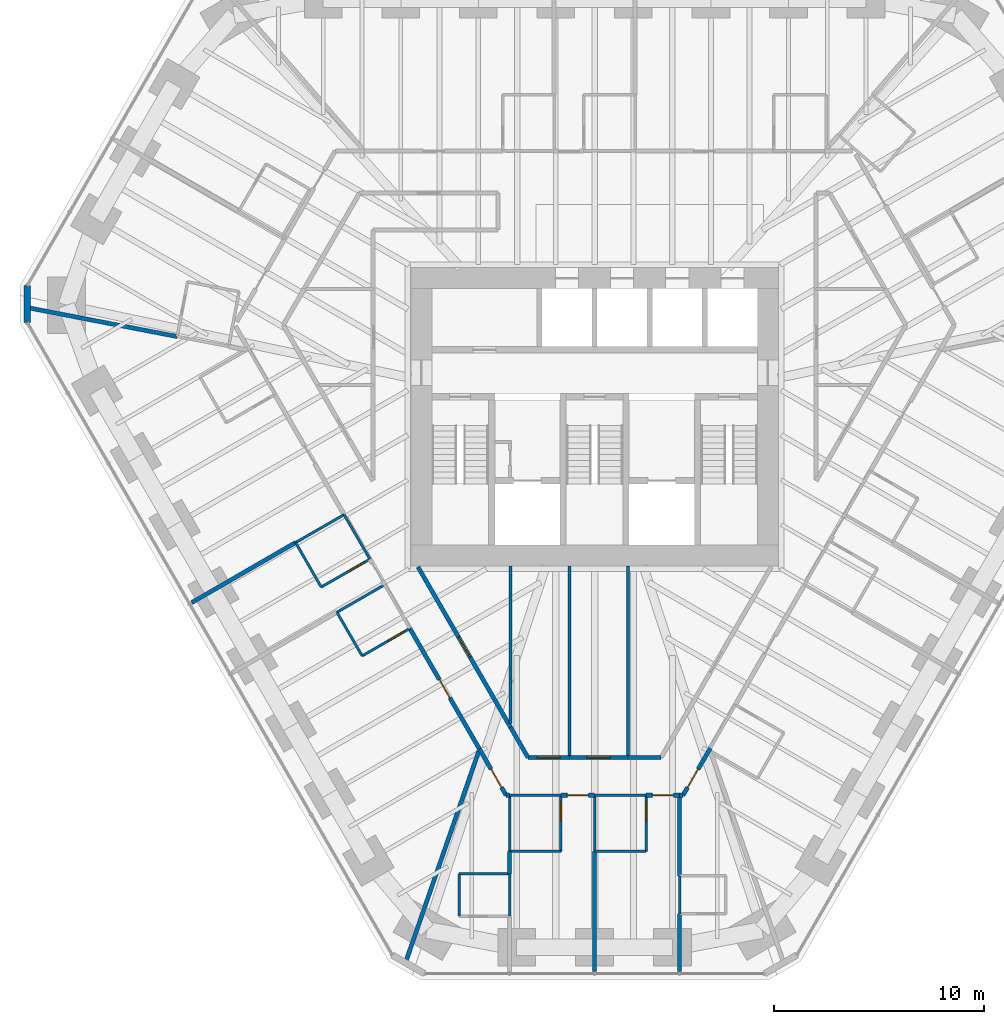
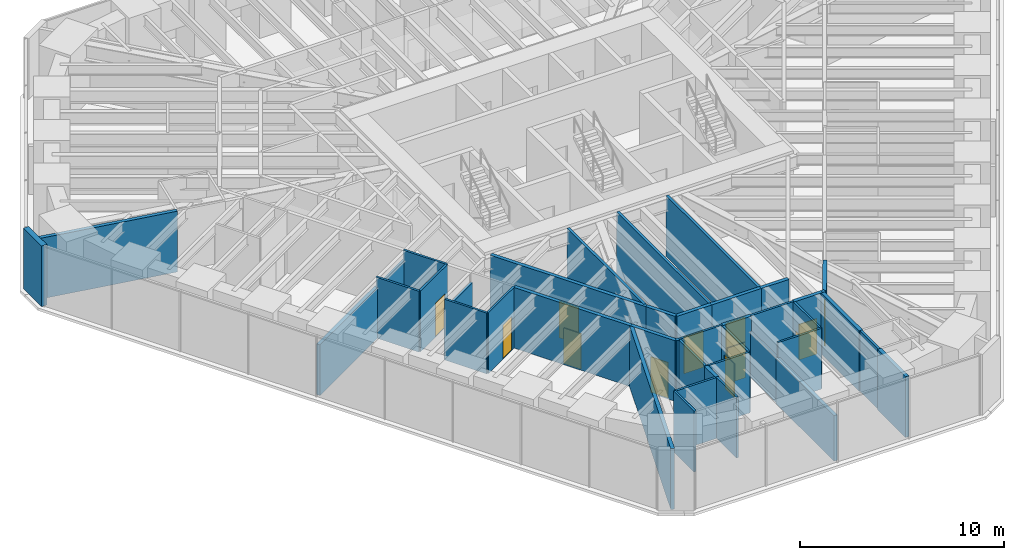
# One storey, part 11 of 16: 42 walls, 12 doors, 12 openings.
"""IFC4 building model written with IfcOpenShell, lengths in metres."""

from ifc_helpers import new_model, si_unit, direction, frame, frame_2d, origin, place, context, subcontext, project, spatial, rectangle, extrude, material, layer, layer_set, type_object, element, fill, save


model = new_model("IFC4")

# Units and contexts
model_context = context("Model", 3, precision=1e-05, world=origin(), true_north=direction((0.0, 1.0)))
body_context = subcontext(model_context, "Body", "Model", "MODEL_VIEW")
ifc_project = project(units=[si_unit("LENGTHUNIT", "METRE"), si_unit("AREAUNIT", "SQUARE_METRE"), si_unit("VOLUMEUNIT", "CUBIC_METRE"), si_unit("PLANEANGLEUNIT", "RADIAN"), si_unit("MASSUNIT", "GRAM", prefix="KILO")], contexts=[model_context])

# Site, building, storey
site_placement = place(None, origin())
site = spatial("IfcSite", under=ifc_project, at=site_placement, CompositionType="ELEMENT")
building_placement = place(site_placement, origin())
building = spatial("IfcBuilding", under=site, at=building_placement, Name="Sandreach Pilgrim Tower", CompositionType="ELEMENT")
storey_placement = place(building_placement, frame((0.0, 0.0, 183.199951171875)))
storey = spatial("IfcBuildingStorey", under=building, at=storey_placement, Name="L45", CompositionType="ELEMENT", Elevation=183.199951171875)

# Walls
ifc_material_1 = material(Name="Gypsum board on steel studs", Category="steel")
ifc_layer_1 = layer(ifc_material_1, 0.14990234375)
ifc_layer_set_1 = layer_set([ifc_layer_1], Name="Back of house wall 150")
wall_type_1 = type_object("IfcWallType", Name="Back of house wall 150", PredefinedType="PARTITIONING", material=ifc_layer_set_1)
wall_1_placement = place(storey_placement, frame((-4.0, -7.10009765625, 0.0), z_axis=(0.0, 0.0, 1.0), x_axis=(0.0, -1.0, 0.0)))
element("IfcWall", 1, at=wall_1_placement, inside=storey, type_object=wall_type_1, Name="Back of house wall L45-062", PredefinedType="PARTITIONING", context=body_context, shape_type="SweptSolid", body=[
    extrude(rectangle(XDim=7.514892578125, YDim=0.14990234375, at=frame_2d((3.75732421875, 0.0))), origin(), (0.0, 0.0, 1.0), 3.64013671875),
])
for number, where, z_axis, x_axis, name in (
    (2, (-1.199951171875, -7.10009765625, 0.0), (0.0, 0.0, 1.0), (0.0, -1.0, 0.0), "Back of house wall L45-071"),
    (3, (1.60009765625, -7.10009765625, 0.0), (0.0, 0.0, 1.0), (0.0, -1.0, 0.0), "Back of house wall L45-079"),
):
    element("IfcWall", number, at=place(storey_placement, frame(where, z_axis=z_axis, x_axis=x_axis)), inside=storey, type_object=wall_type_1, Name=name, PredefinedType="PARTITIONING", context=body_context, shape_type="SweptSolid", body=[
        extrude(rectangle(XDim=9.1298828125, YDim=0.14990234375, at=frame_2d((4.56494140625, 0.0))), origin(), (0.0, 0.0, 1.0), 3.64013671875),
    ])
ifc_material_2 = material(Name="Moisture-resistant gypsum board on steel studs", Category="steel")
ifc_layer_2 = layer(ifc_material_2, 0.1201171875)
ifc_layer_set_2 = layer_set([ifc_layer_2], Name="Bathroom partition 120")
wall_type_2 = type_object("IfcWallType", Name="Bathroom partition 120", PredefinedType="PARTITIONING", material=ifc_layer_set_2)
wall_2_placement = place(storey_placement, frame((-14.239990234375, -5.989990234375, 0.0), z_axis=(0.0, 0.0, 1.0), x_axis=(0.498748634132, -0.866746675766, 0.0)))
element("IfcWall", 4, at=wall_2_placement, inside=storey, type_object=wall_type_2, Name="Bathroom partition L45-023", PredefinedType="PARTITIONING", context=body_context, shape_type="SweptSolid", body=[
    extrude(rectangle(XDim=2.446044921875, YDim=0.1201171875, at=frame_2d((1.22314453125, 0.0))), origin(), (0.0, 0.0, 1.0), 3.64013671875),
])
wall_3_placement = place(storey_placement, frame((-14.239990234375, -5.989990234375, 0.0), z_axis=(0.0, 0.0, 1.0), x_axis=(0.866615255992, 0.498976951453, 0.0)))
element("IfcWall", 5, at=wall_3_placement, inside=storey, type_object=wall_type_2, Name="Bathroom partition L45-024", PredefinedType="PARTITIONING", context=body_context, shape_type="SweptSolid", body=[
    extrude(rectangle(XDim=2.66552734375, YDim=0.1201171875, at=frame_2d((1.332763671875, 0.0))), origin(), (0.0, 0.0, 1.0), 3.0380859375),
])

# Wall, opening, door
wall_4_placement = place(storey_placement, frame((-13.02001953125, -8.110107421875, 0.0), z_axis=(0.0, 0.0, 1.0), x_axis=(0.867545659855, 0.497357545501, 0.0)))
wall_4 = element("IfcWall", 6, at=wall_4_placement, inside=storey, type_object=wall_type_2, Name="Bathroom partition L45-029", PredefinedType="PARTITIONING", context=body_context, shape_type="SweptSolid", body=[
    extrude(rectangle(XDim=2.67431640625, YDim=0.1201171875, at=frame_2d((1.337158203125, 0.0))), origin(), (0.0, 0.0, 1.0), 3.64013671875),
])
opening_1_placement = place(wall_4_placement, frame((1.47412109375, 0.0, 0.0)))
opening_1 = element("IfcOpeningElement", 7, at=opening_1_placement, cuts=wall_4, Name="Opening D09-14B", PredefinedType="OPENING", context=body_context, shape_type="SweptSolid", body=[
    extrude(rectangle(XDim=0.89990234375, YDim=2.030029296875, at=frame_2d((0.449951171875, 1.01513671875))), frame((0.0, 0.06005859375, 0.0), z_axis=(0.0, -1.0, 0.0), x_axis=(1.0, 0.0, 0.0)), (0.0, 0.0, 1.0), 0.1201171875),
])
ifc_material_3 = material(Name="Timber door, steel frame", Category="steel")
door_type_1 = type_object("IfcDoorType", Name="Bathroom door", OperationType="SINGLE_SWING_LEFT", PredefinedType="DOOR", material=ifc_material_3)
door_1_placement = place(opening_1_placement, origin())
door_1 = element("IfcDoor", 8, at=door_1_placement, inside=storey, type_object=door_type_1, Name="Door 4514B", OperationType="SINGLE_SWING_RIGHT", OverallHeight=2.030029296875, OverallWidth=0.89990234375, PredefinedType="DOOR", context=body_context, shape_type="SweptSolid", body=[
    extrude(rectangle(XDim=0.89990234375, YDim=2.030029296875, at=frame_2d((0.449951171875, 1.01513671875))), frame((0.0, 0.02490234375, 0.0), z_axis=(0.0, -1.0, 0.0), x_axis=(1.0, 0.0, 0.0)), (0.0, 0.0, 1.0), 0.050048828125),
])
fill(opening_1, door_1)

# Walls
wall_5_placement = place(storey_placement, frame((-12.27001953125, -9.31005859375, 0.0), z_axis=(0.0, 0.0, 1.0), x_axis=(0.499737123639, -0.866177122335, 0.0)))
element("IfcWall", 9, at=wall_5_placement, inside=storey, type_object=wall_type_2, Name="Bathroom partition L45-030", PredefinedType="PARTITIONING", context=body_context, shape_type="SweptSolid", body=[
    extrude(rectangle(XDim=2.401123046875, YDim=0.1201171875, at=frame_2d((1.20068359375, 0.0))), origin(), (0.0, 0.0, 1.0), 3.64013671875),
])
wall_6_placement = place(storey_placement, frame((-12.27001953125, -9.31005859375, 0.0), z_axis=(0.0, 0.0, 1.0), x_axis=(0.866114241029, 0.499846097802, 0.0)))
element("IfcWall", 10, at=wall_6_placement, inside=storey, type_object=wall_type_2, Name="Bathroom partition L45-031", PredefinedType="PARTITIONING", context=body_context, shape_type="SweptSolid", body=[
    extrude(rectangle(XDim=2.620849609375, YDim=0.1201171875, at=frame_2d((1.310546875, 0.0))), origin(), (0.0, 0.0, 1.0), 3.0380859375),
])
wall_7_placement = place(storey_placement, frame((-11.929931640625, -4.659912109375, 0.0), z_axis=(0.0, 0.0, 1.0), x_axis=(0.501813488763, -0.864975850817, 0.0)))
element("IfcWall", 11, at=wall_7_placement, inside=storey, type_object=wall_type_2, Name="Bathroom partition L45-032", PredefinedType="PARTITIONING", context=body_context, shape_type="SweptSolid", body=[
    extrude(rectangle(XDim=2.451171875, YDim=0.1201171875, at=frame_2d((1.2255859375, 0.0))), origin(), (0.0, 0.0, 1.0), 3.64013671875),
])

# Wall, opening, door
wall_8_placement = place(storey_placement, frame((-11.070068359375, -11.389892578125, 0.0), z_axis=(0.0, 0.0, 1.0), x_axis=(0.866154567199, 0.49977621564, 0.0)))
wall_8 = element("IfcWall", 12, at=wall_8_placement, inside=storey, type_object=wall_type_2, Name="Bathroom partition L45-034", PredefinedType="PARTITIONING", context=body_context, shape_type="SweptSolid", body=[
    extrude(rectangle(XDim=2.620849609375, YDim=0.1201171875, at=frame_2d((1.310546875, 0.0))), origin(), (0.0, 0.0, 1.0), 3.64013671875),
])
opening_2_placement = place(wall_8_placement, frame((1.4208984375, 0.0, 0.0)))
opening_2 = element("IfcOpeningElement", 13, at=opening_2_placement, cuts=wall_8, Name="Opening D09-13B", PredefinedType="OPENING", context=body_context, shape_type="SweptSolid", body=[
    extrude(rectangle(XDim=0.89990234375, YDim=2.030029296875, at=frame_2d((0.449951171875, 1.01513671875))), frame((0.0, 0.06005859375, 0.0), z_axis=(0.0, -1.0, 0.0), x_axis=(1.0, 0.0, 0.0)), (0.0, 0.0, 1.0), 0.1201171875),
])
door_2_placement = place(opening_2_placement, origin())
door_2 = element("IfcDoor", 14, at=door_2_placement, inside=storey, type_object=door_type_1, Name="Door 4513B", OperationType="SINGLE_SWING_RIGHT", OverallHeight=2.030029296875, OverallWidth=0.89990234375, PredefinedType="DOOR", context=body_context, shape_type="SweptSolid", body=[
    extrude(rectangle(XDim=0.89990234375, YDim=2.030029296875, at=frame_2d((0.449951171875, 1.01513671875))), frame((0.0, 0.02490234375, 0.0), z_axis=(0.0, -1.0, 0.0), x_axis=(1.0, 0.0, 0.0)), (0.0, 0.0, 1.0), 0.050048828125),
])
fill(opening_2, door_2)

# Walls
for number, where, z_axis, x_axis, name in (
    (15, (-6.449951171875, -21.77001953125, 0.0), (0.0, 0.0, 1.0), (0.0, -1.0, 0.0), "Bathroom partition L45-047"),
    (16, (-4.050048828125, -23.780029296875, 0.0), (0.0, 0.0, 1.0), (0.0, 1.0, 0.0), "Bathroom partition L45-055"),
):
    element("IfcWall", number, at=place(storey_placement, frame(where, z_axis=z_axis, x_axis=x_axis)), inside=storey, type_object=wall_type_2, Name=name, PredefinedType="PARTITIONING", context=body_context, shape_type="SweptSolid", body=[
        extrude(rectangle(XDim=2.010009765625, YDim=0.1201171875, at=frame_2d((1.0048828125, 0.0))), origin(), (0.0, 0.0, 1.0), 3.64013671875),
    ])
wall_9_placement = place(storey_placement, frame((-4.050048828125, -21.77001953125, 0.0), z_axis=(0.0, 0.0, 1.0), x_axis=(-1.0, 0.0, 0.0)))
element("IfcWall", 17, at=wall_9_placement, inside=storey, type_object=wall_type_2, Name="Bathroom partition L45-056", PredefinedType="PARTITIONING", context=body_context, shape_type="SweptSolid", body=[
    extrude(rectangle(XDim=2.39990234375, YDim=0.1201171875, at=frame_2d((1.199951171875, 0.0))), origin(), (0.0, 0.0, 1.0), 3.64013671875),
])
wall_10_placement = place(storey_placement, frame((-4.050048828125, -20.699951171875, 0.0), z_axis=(0.0, 0.0, 1.0), x_axis=(0.0, 1.0, 0.0)))
element("IfcWall", 18, at=wall_10_placement, inside=storey, type_object=wall_type_2, Name="Bathroom partition L45-058", PredefinedType="PARTITIONING", context=body_context, shape_type="SweptSolid", body=[
    extrude(rectangle(XDim=2.669921875, YDim=0.1201171875, at=frame_2d((1.3349609375, 0.0))), origin(), (0.0, 0.0, 1.0), 3.64013671875),
])
for number, where, z_axis, x_axis, name in (
    (19, (-4.050048828125, -20.699951171875, 0.0), (0.0, 0.0, 1.0), (1.0, 0.0, 0.0), "Bathroom partition L45-059"),
    (20, (-4.050048828125, -18.030029296875, 0.0), (0.0, 0.0, 1.0), (1.0, 0.0, 0.0), "Bathroom partition L45-060"),
):
    element("IfcWall", number, at=place(storey_placement, frame(where, z_axis=z_axis, x_axis=x_axis)), inside=storey, type_object=wall_type_2, Name=name, PredefinedType="PARTITIONING", context=body_context, shape_type="SweptSolid", body=[
        extrude(rectangle(XDim=2.449951171875, YDim=0.1201171875, at=frame_2d((1.22509765625, 0.0))), origin(), (0.0, 0.0, 1.0), 3.64013671875),
    ])

# Wall, opening, door
wall_11_placement = place(storey_placement, frame((-1.60009765625, -20.699951171875, 0.0), z_axis=(0.0, 0.0, 1.0), x_axis=(0.0, 1.0, 0.0)))
wall_11 = element("IfcWall", 21, at=wall_11_placement, inside=storey, type_object=wall_type_2, Name="Bathroom partition L45-068", PredefinedType="PARTITIONING", context=body_context, shape_type="SweptSolid", body=[
    extrude(rectangle(XDim=2.669921875, YDim=0.1201171875, at=frame_2d((1.3349609375, 0.0))), origin(), (0.0, 0.0, 1.0), 3.64013671875),
])
opening_3_placement = place(wall_11_placement, frame((1.469970703125, 0.0, 0.0)))
opening_3 = element("IfcOpeningElement", 22, at=opening_3_placement, cuts=wall_11, Name="Opening D09-11B", PredefinedType="OPENING", context=body_context, shape_type="SweptSolid", body=[
    extrude(rectangle(XDim=0.89990234375, YDim=2.030029296875, at=frame_2d((0.449951171875, 1.01513671875))), frame((0.0, 0.06005859375, 0.0), z_axis=(0.0, -1.0, 0.0), x_axis=(1.0, 0.0, 0.0)), (0.0, 0.0, 1.0), 0.1201171875),
])
door_3_placement = place(opening_3_placement, origin())
door_3 = element("IfcDoor", 23, at=door_3_placement, inside=storey, type_object=door_type_1, Name="Door 4511B", OperationType="SINGLE_SWING_RIGHT", OverallHeight=2.030029296875, OverallWidth=0.89990234375, PredefinedType="DOOR", context=body_context, shape_type="SweptSolid", body=[
    extrude(rectangle(XDim=0.89990234375, YDim=2.030029296875, at=frame_2d((0.449951171875, 1.01513671875))), frame((0.0, 0.02490234375, 0.0), z_axis=(0.0, -1.0, 0.0), x_axis=(1.0, 0.0, 0.0)), (0.0, 0.0, 1.0), 0.050048828125),
])
fill(opening_3, door_3)

# Walls
wall_12_placement = place(storey_placement, frame((0.0, -20.699951171875, 0.0), z_axis=(0.0, 0.0, 1.0), x_axis=(0.0, 1.0, 0.0)))
element("IfcWall", 24, at=wall_12_placement, inside=storey, type_object=wall_type_2, Name="Bathroom partition L45-075", PredefinedType="PARTITIONING", context=body_context, shape_type="SweptSolid", body=[
    extrude(rectangle(XDim=2.669921875, YDim=0.1201171875, at=frame_2d((1.3349609375, 0.0))), origin(), (0.0, 0.0, 1.0), 2.7255859375),
])
for number, where, z_axis, x_axis, name in (
    (25, (0.0, -20.699951171875, 0.0), (0.0, 0.0, 1.0), (1.0, 0.0, 0.0), "Bathroom partition L45-076"),
    (26, (0.0, -18.030029296875, 0.0), (0.0, 0.0, 1.0), (1.0, 0.0, 0.0), "Bathroom partition L45-077"),
):
    element("IfcWall", number, at=place(storey_placement, frame(where, z_axis=z_axis, x_axis=x_axis)), inside=storey, type_object=wall_type_2, Name=name, PredefinedType="PARTITIONING", context=body_context, shape_type="SweptSolid", body=[
        extrude(rectangle(XDim=2.449951171875, YDim=0.1201171875, at=frame_2d((1.22509765625, 0.0))), origin(), (0.0, 0.0, 1.0), 3.64013671875),
    ])

# Wall, opening, door
wall_13_placement = place(storey_placement, frame((2.449951171875, -20.699951171875, 0.0), z_axis=(0.0, 0.0, 1.0), x_axis=(0.0, 1.0, 0.0)))
wall_13 = element("IfcWall", 27, at=wall_13_placement, inside=storey, type_object=wall_type_2, Name="Bathroom partition L45-084", PredefinedType="PARTITIONING", context=body_context, shape_type="SweptSolid", body=[
    extrude(rectangle(XDim=2.669921875, YDim=0.1201171875, at=frame_2d((1.3349609375, 0.0))), origin(), (0.0, 0.0, 1.0), 3.64013671875),
])
opening_4_placement = place(wall_13_placement, frame((1.469970703125, 0.0, 0.0)))
opening_4 = element("IfcOpeningElement", 28, at=opening_4_placement, cuts=wall_13, Name="Opening D09-10B", PredefinedType="OPENING", context=body_context, shape_type="SweptSolid", body=[
    extrude(rectangle(XDim=0.89990234375, YDim=2.030029296875, at=frame_2d((0.449951171875, 1.01513671875))), frame((0.0, 0.06005859375, 0.0), z_axis=(0.0, -1.0, 0.0), x_axis=(1.0, 0.0, 0.0)), (0.0, 0.0, 1.0), 0.1201171875),
])
door_4_placement = place(opening_4_placement, origin())
door_4 = element("IfcDoor", 29, at=door_4_placement, inside=storey, type_object=door_type_1, Name="Door 4510B", OperationType="SINGLE_SWING_RIGHT", OverallHeight=2.030029296875, OverallWidth=0.89990234375, PredefinedType="DOOR", context=body_context, shape_type="SweptSolid", body=[
    extrude(rectangle(XDim=0.89990234375, YDim=2.030029296875, at=frame_2d((0.449951171875, 1.01513671875))), frame((0.0, 0.02490234375, 0.0), z_axis=(0.0, -1.0, 0.0), x_axis=(1.0, 0.0, 0.0)), (0.0, 0.0, 1.0), 0.050048828125),
])
fill(opening_4, door_4)

# Wall
wall_14_placement = place(storey_placement, frame((4.050048828125, -23.679931640625, 0.0), z_axis=(0.0, 0.0, 1.0), x_axis=(0.0, 1.0, 0.0)))
element("IfcWall", 30, at=wall_14_placement, inside=storey, type_object=wall_type_2, Name="Bathroom partition L45-088", PredefinedType="PARTITIONING", context=body_context, shape_type="SweptSolid", body=[
    extrude(rectangle(XDim=1.809814453125, YDim=0.1201171875, at=frame_2d((0.90478515625, 0.0))), origin(), (0.0, 0.0, 1.0), 3.64013671875),
])

# Wall, opening, door
ifc_material_4 = material(Name="Gypsum board on steel studs, two layers each side", Category="steel")
ifc_layer_3 = layer(ifc_material_4, 0.199951171875)
ifc_layer_set_3 = layer_set([ifc_layer_3], Name="Corridor wall 200")
wall_type_3 = type_object("IfcWallType", Name="Corridor wall 200", PredefinedType="PARTITIONING", material=ifc_layer_set_3)
wall_15_placement = place(storey_placement, frame((-8.800048828125, -10.080078125, 0.0), z_axis=(0.0, 0.0, 1.0), x_axis=(0.500034373799, -0.866005557153, 0.0)))
wall_15 = element("IfcWall", 31, at=wall_15_placement, inside=storey, type_object=wall_type_3, Name="Corridor wall L45-045", PredefinedType="PARTITIONING", context=body_context, shape_type="SweptSolid", body=[
    extrude(rectangle(XDim=6.6396484375, YDim=0.199951171875, at=frame_2d((3.31982421875, 0.0))), origin(), (0.0, 0.0, 1.0), 3.64013671875),
])
opening_5_placement = place(wall_15_placement, frame((2.81982421875, 0.0, 0.0)))
opening_5 = element("IfcOpeningElement", 32, at=opening_5_placement, cuts=wall_15, Name="Opening D10-13", PredefinedType="OPENING", context=body_context, shape_type="SweptSolid", body=[
    extrude(rectangle(XDim=1.0, YDim=2.1298828125, at=frame_2d((0.5, 1.06494140625))), frame((0.0, 0.10009765625, 0.0), z_axis=(0.0, -1.0, 0.0), x_axis=(1.0, 0.0, 0.0)), (0.0, 0.0, 1.0), 0.199951171875),
])
ifc_material_5 = material(Name="Steel door and frame", Category="steel")
door_type_2 = type_object("IfcDoorType", Name="Guest room entry door", OperationType="SINGLE_SWING_LEFT", PredefinedType="DOOR", material=ifc_material_5)
door_5_placement = place(opening_5_placement, origin())
door_5 = element("IfcDoor", 33, at=door_5_placement, inside=storey, type_object=door_type_2, Name="Door 4513", OperationType="SINGLE_SWING_LEFT", OverallHeight=2.1298828125, OverallWidth=1.0, PredefinedType="DOOR", context=body_context, shape_type="SweptSolid", body=[
    extrude(rectangle(XDim=1.0, YDim=2.1298828125, at=frame_2d((0.5, 1.06494140625))), frame((0.0, 0.02490234375, 0.0), z_axis=(0.0, -1.0, 0.0), x_axis=(1.0, 0.0, 0.0)), (0.0, 0.0, 1.0), 0.050048828125),
])
fill(opening_5, door_5)

wall_16_placement = place(storey_placement, frame((-5.47998046875, -15.830078125, 0.0), z_axis=(0.0, 0.0, 1.0), x_axis=(0.499963722229, -0.866046347752, 0.0)))
wall_16 = element("IfcWall", 34, at=wall_16_placement, inside=storey, type_object=wall_type_3, Name="Corridor wall L45-048", PredefinedType="PARTITIONING", context=body_context, shape_type="SweptSolid", body=[
    extrude(rectangle(XDim=2.540283203125, YDim=0.199951171875, at=frame_2d((1.27001953125, 0.0))), origin(), (0.0, 0.0, 1.0), 3.64013671875),
])
opening_6_placement = place(wall_16_placement, frame((1.10009765625, 0.0, 0.0)))
opening_6 = element("IfcOpeningElement", 35, at=opening_6_placement, cuts=wall_16, Name="Opening D10-12", PredefinedType="OPENING", context=body_context, shape_type="SweptSolid", body=[
    extrude(rectangle(XDim=1.0, YDim=2.1298828125, at=frame_2d((0.5, 1.06494140625))), frame((0.0, 0.10009765625, 0.0), z_axis=(0.0, -1.0, 0.0), x_axis=(1.0, 0.0, 0.0)), (0.0, 0.0, 1.0), 0.199951171875),
])
door_6_placement = place(opening_6_placement, origin())
door_6 = element("IfcDoor", 36, at=door_6_placement, inside=storey, type_object=door_type_2, Name="Door 4512", OperationType="SINGLE_SWING_RIGHT", OverallHeight=2.1298828125, OverallWidth=1.0, PredefinedType="DOOR", context=body_context, shape_type="SweptSolid", body=[
    extrude(rectangle(XDim=1.0, YDim=2.1298828125, at=frame_2d((0.5, 1.06494140625))), frame((0.0, 0.02490234375, 0.0), z_axis=(0.0, -1.0, 0.0), x_axis=(1.0, 0.0, 0.0)), (0.0, 0.0, 1.0), 0.050048828125),
])
fill(opening_6, door_6)

# Wall
wall_17_placement = place(storey_placement, frame((-4.2099609375, -18.030029296875, 0.0), z_axis=(0.0, 0.0, 1.0), x_axis=(1.0, 0.0, 0.0)))
element("IfcWall", 37, at=wall_17_placement, inside=storey, type_object=wall_type_3, Name="Corridor wall L45-053", PredefinedType="PARTITIONING", context=body_context, shape_type="SweptSolid", body=[
    extrude(rectangle(XDim=0.159912109375, YDim=0.199951171875, at=frame_2d((0.080078125, 0.0))), origin(), (0.0, 0.0, 1.0), 3.64013671875),
])

# Wall, opening, door
wall_18_placement = place(storey_placement, frame((-4.0, -14.7900390625, 0.0), z_axis=(0.0, 0.0, 1.0), x_axis=(-0.499916512745, 0.866073599808, 0.0)))
wall_18 = element("IfcWall", 38, at=wall_18_placement, inside=storey, type_object=wall_type_3, Name="Corridor wall L45-061", PredefinedType="PARTITIONING", context=body_context, shape_type="SweptSolid", body=[
    extrude(rectangle(XDim=8.8212890625, YDim=0.199951171875, at=frame_2d((4.41064453125, 0.0))), origin(), (0.0, 0.0, 1.0), 3.64013671875),
])
opening_7_placement = place(wall_18_placement, frame((3.860595703125, 0.0, 0.0)))
opening_7 = element("IfcOpeningElement", 39, at=opening_7_placement, cuts=wall_18, Name="Opening D11H-S1", PredefinedType="OPENING", context=body_context, shape_type="SweptSolid", body=[
    extrude(rectangle(XDim=1.10009765625, YDim=2.199951171875, at=frame_2d((0.550048828125, 1.10009765625))), frame((0.0, 0.10009765625, 0.0), z_axis=(0.0, -1.0, 0.0), x_axis=(1.0, 0.0, 0.0)), (0.0, 0.0, 1.0), 0.199951171875),
])
ifc_material_6 = material(Name="Steel door and frame", Category="steel")
door_type_3 = type_object("IfcDoorType", Name="Back of house door", OperationType="SINGLE_SWING_LEFT", PredefinedType="DOOR", material=ifc_material_6)
door_7_placement = place(opening_7_placement, origin())
door_7 = element("IfcDoor", 40, at=door_7_placement, inside=storey, type_object=door_type_3, Name="Door 45S1", OperationType="SINGLE_SWING_LEFT", OverallHeight=2.199951171875, OverallWidth=1.10009765625, PredefinedType="DOOR", context=body_context, shape_type="SweptSolid", body=[
    extrude(rectangle(XDim=1.10009765625, YDim=2.199951171875, at=frame_2d((0.550048828125, 1.10009765625))), frame((0.0, 0.02490234375, 0.0), z_axis=(0.0, -1.0, 0.0), x_axis=(1.0, 0.0, 0.0)), (0.0, 0.0, 1.0), 0.050048828125),
])
fill(opening_7, door_7)

# Wall
wall_19_placement = place(storey_placement, frame((-3.169921875, -16.22998046875, 0.0), z_axis=(0.0, 0.0, 1.0), x_axis=(-0.499425709803, 0.866356716594, 0.0)))
element("IfcWall", 41, at=wall_19_placement, inside=storey, type_object=wall_type_3, Name="Corridor wall L45-063", PredefinedType="PARTITIONING", context=body_context, shape_type="SweptSolid", body=[
    extrude(rectangle(XDim=1.662109375, YDim=0.199951171875, at=frame_2d((0.8310546875, 0.0))), origin(), (0.0, 0.0, 1.0), 3.64013671875),
])

# Wall, opening, door
wall_20_placement = place(storey_placement, frame((-1.60009765625, -18.030029296875, 0.0), z_axis=(0.0, 0.0, 1.0), x_axis=(1.0, 0.0, 0.0)))
wall_20 = element("IfcWall", 42, at=wall_20_placement, inside=storey, type_object=wall_type_3, Name="Corridor wall L45-069", PredefinedType="PARTITIONING", context=body_context, shape_type="SweptSolid", body=[
    extrude(rectangle(XDim=1.60009765625, YDim=0.199951171875, at=frame_2d((0.800048828125, 0.0))), origin(), (0.0, 0.0, 1.0), 3.64013671875),
])
opening_8_placement = place(wall_20_placement, frame((0.300048828125, 0.0, 0.0)))
opening_8 = element("IfcOpeningElement", 43, at=opening_8_placement, cuts=wall_20, Name="Opening D10-11", PredefinedType="OPENING", context=body_context, shape_type="SweptSolid", body=[
    extrude(rectangle(XDim=1.0, YDim=2.1298828125, at=frame_2d((0.5, 1.06494140625))), frame((0.0, 0.10009765625, 0.0), z_axis=(0.0, -1.0, 0.0), x_axis=(1.0, 0.0, 0.0)), (0.0, 0.0, 1.0), 0.199951171875),
])
door_8_placement = place(opening_8_placement, origin())
door_8 = element("IfcDoor", 44, at=door_8_placement, inside=storey, type_object=door_type_2, Name="Door 4511", OperationType="SINGLE_SWING_LEFT", OverallHeight=2.1298828125, OverallWidth=1.0, PredefinedType="DOOR", context=body_context, shape_type="SweptSolid", body=[
    extrude(rectangle(XDim=1.0, YDim=2.1298828125, at=frame_2d((0.5, 1.06494140625))), frame((0.0, 0.02490234375, 0.0), z_axis=(0.0, -1.0, 0.0), x_axis=(1.0, 0.0, 0.0)), (0.0, 0.0, 1.0), 0.050048828125),
])
fill(opening_8, door_8)

wall_21_placement = place(storey_placement, frame((-1.199951171875, -16.22998046875, 0.0), z_axis=(0.0, 0.0, 1.0), x_axis=(-1.0, 0.0, 0.0)))
wall_21 = element("IfcWall", 45, at=wall_21_placement, inside=storey, type_object=wall_type_3, Name="Corridor wall L45-070", PredefinedType="PARTITIONING", context=body_context, shape_type="SweptSolid", body=[
    extrude(rectangle(XDim=1.969970703125, YDim=0.199951171875, at=frame_2d((0.98486328125, 0.0))), origin(), (0.0, 0.0, 1.0), 3.64013671875),
])
opening_9_placement = place(wall_21_placement, frame((0.43505859375, 0.0, 0.0)))
opening_9 = element("IfcOpeningElement", 46, at=opening_9_placement, cuts=wall_21, Name="Opening D11H-S2", PredefinedType="OPENING", context=body_context, shape_type="SweptSolid", body=[
    extrude(rectangle(XDim=1.10009765625, YDim=2.199951171875, at=frame_2d((0.550048828125, 1.10009765625))), frame((0.0, 0.10009765625, 0.0), z_axis=(0.0, -1.0, 0.0), x_axis=(1.0, 0.0, 0.0)), (0.0, 0.0, 1.0), 0.199951171875),
])
door_9_placement = place(opening_9_placement, origin())
door_9 = element("IfcDoor", 47, at=door_9_placement, inside=storey, type_object=door_type_3, Name="Door 45S2", OperationType="SINGLE_SWING_LEFT", OverallHeight=2.199951171875, OverallWidth=1.10009765625, PredefinedType="DOOR", context=body_context, shape_type="SweptSolid", body=[
    extrude(rectangle(XDim=1.10009765625, YDim=2.199951171875, at=frame_2d((0.550048828125, 1.10009765625))), frame((0.0, 0.02490234375, 0.0), z_axis=(0.0, -1.0, 0.0), x_axis=(1.0, 0.0, 0.0)), (0.0, 0.0, 1.0), 0.050048828125),
])
fill(opening_9, door_9)

wall_22_placement = place(storey_placement, frame((1.60009765625, -16.22998046875, 0.0), z_axis=(0.0, 0.0, 1.0), x_axis=(-1.0, 0.0, 0.0)))
wall_22 = element("IfcWall", 48, at=wall_22_placement, inside=storey, type_object=wall_type_3, Name="Corridor wall L45-078", PredefinedType="PARTITIONING", context=body_context, shape_type="SweptSolid", body=[
    extrude(rectangle(XDim=2.800048828125, YDim=0.199951171875, at=frame_2d((1.39990234375, 0.0))), origin(), (0.0, 0.0, 1.0), 3.64013671875),
])
opening_10_placement = place(wall_22_placement, frame((0.85009765625, 0.0, 0.0)))
opening_10 = element("IfcOpeningElement", 49, at=opening_10_placement, cuts=wall_22, Name="Opening D11H-S3", PredefinedType="OPENING", context=body_context, shape_type="SweptSolid", body=[
    extrude(rectangle(XDim=1.10009765625, YDim=2.199951171875, at=frame_2d((0.550048828125, 1.10009765625))), frame((0.0, 0.10009765625, 0.0), z_axis=(0.0, -1.0, 0.0), x_axis=(1.0, 0.0, 0.0)), (0.0, 0.0, 1.0), 0.199951171875),
])
door_10_placement = place(opening_10_placement, origin())
door_10 = element("IfcDoor", 50, at=door_10_placement, inside=storey, type_object=door_type_3, Name="Door 45S3", OperationType="SINGLE_SWING_LEFT", OverallHeight=2.199951171875, OverallWidth=1.10009765625, PredefinedType="DOOR", context=body_context, shape_type="SweptSolid", body=[
    extrude(rectangle(XDim=1.10009765625, YDim=2.199951171875, at=frame_2d((0.550048828125, 1.10009765625))), frame((0.0, 0.02490234375, 0.0), z_axis=(0.0, -1.0, 0.0), x_axis=(1.0, 0.0, 0.0)), (0.0, 0.0, 1.0), 0.050048828125),
])
fill(opening_10, door_10)

wall_23_placement = place(storey_placement, frame((2.449951171875, -18.030029296875, 0.0), z_axis=(0.0, 0.0, 1.0), x_axis=(1.0, 0.0, 0.0)))
wall_23 = element("IfcWall", 51, at=wall_23_placement, inside=storey, type_object=wall_type_3, Name="Corridor wall L45-085", PredefinedType="PARTITIONING", context=body_context, shape_type="SweptSolid", body=[
    extrude(rectangle(XDim=1.60009765625, YDim=0.199951171875, at=frame_2d((0.800048828125, 0.0))), origin(), (0.0, 0.0, 1.0), 3.64013671875),
])
opening_11_placement = place(wall_23_placement, frame((0.300048828125, 0.0, 0.0)))
opening_11 = element("IfcOpeningElement", 52, at=opening_11_placement, cuts=wall_23, Name="Opening D10-10", PredefinedType="OPENING", context=body_context, shape_type="SweptSolid", body=[
    extrude(rectangle(XDim=1.0, YDim=2.1298828125, at=frame_2d((0.5, 1.06494140625))), frame((0.0, 0.10009765625, 0.0), z_axis=(0.0, -1.0, 0.0), x_axis=(1.0, 0.0, 0.0)), (0.0, 0.0, 1.0), 0.199951171875),
])
door_11_placement = place(opening_11_placement, origin())
door_11 = element("IfcDoor", 53, at=door_11_placement, inside=storey, type_object=door_type_2, Name="Door 4510", OperationType="SINGLE_SWING_LEFT", OverallHeight=2.1298828125, OverallWidth=1.0, PredefinedType="DOOR", context=body_context, shape_type="SweptSolid", body=[
    extrude(rectangle(XDim=1.0, YDim=2.1298828125, at=frame_2d((0.5, 1.06494140625))), frame((0.0, 0.02490234375, 0.0), z_axis=(0.0, -1.0, 0.0), x_axis=(1.0, 0.0, 0.0)), (0.0, 0.0, 1.0), 0.050048828125),
])
fill(opening_11, door_11)

# Walls
wall_24_placement = place(storey_placement, frame((3.169921875, -16.22998046875, 0.0), z_axis=(0.0, 0.0, 1.0), x_axis=(-1.0, 0.0, 0.0)))
element("IfcWall", 54, at=wall_24_placement, inside=storey, type_object=wall_type_3, Name="Corridor wall L45-086", PredefinedType="PARTITIONING", context=body_context, shape_type="SweptSolid", body=[
    extrude(rectangle(XDim=1.56982421875, YDim=0.199951171875, at=frame_2d((0.784912109375, 0.0))), origin(), (0.0, 0.0, 1.0), 3.64013671875),
])
wall_25_placement = place(storey_placement, frame((4.050048828125, -18.030029296875, 0.0), z_axis=(0.0, 0.0, 1.0), x_axis=(1.0, 0.0, 0.0)))
element("IfcWall", 55, at=wall_25_placement, inside=storey, type_object=wall_type_3, Name="Corridor wall L45-091", PredefinedType="PARTITIONING", context=body_context, shape_type="SweptSolid", body=[
    extrude(rectangle(XDim=0.159912109375, YDim=0.199951171875, at=frame_2d((0.080078125, 0.0))), origin(), (0.0, 0.0, 1.0), 3.64013671875),
])

# Wall, opening, door
wall_26_placement = place(storey_placement, frame((5.510009765625, -15.7900390625, 0.0), z_axis=(0.0, 0.0, 1.0), x_axis=(-0.501964949025, -0.864887963814, 0.0)))
wall_26 = element("IfcWall", 56, at=wall_26_placement, inside=storey, type_object=wall_type_3, Name="Corridor wall L45-092", PredefinedType="PARTITIONING", context=body_context, shape_type="SweptSolid", body=[
    extrude(rectangle(XDim=2.58984375, YDim=0.199951171875, at=frame_2d((1.294921875, 0.0))), origin(), (0.0, 0.0, 1.0), 3.64013671875),
])
opening_12_placement = place(wall_26_placement, frame((1.14990234375, 0.0, 0.0)))
opening_12 = element("IfcOpeningElement", 57, at=opening_12_placement, cuts=wall_26, Name="Opening D10-09", PredefinedType="OPENING", context=body_context, shape_type="SweptSolid", body=[
    extrude(rectangle(XDim=1.0, YDim=2.1298828125, at=frame_2d((0.5, 1.06494140625))), frame((0.0, 0.10009765625, 0.0), z_axis=(0.0, -1.0, 0.0), x_axis=(1.0, 0.0, 0.0)), (0.0, 0.0, 1.0), 0.199951171875),
])
door_12_placement = place(opening_12_placement, origin())
door_12 = element("IfcDoor", 58, at=door_12_placement, inside=storey, type_object=door_type_2, Name="Door 4509", OperationType="SINGLE_SWING_RIGHT", OverallHeight=2.1298828125, OverallWidth=1.0, PredefinedType="DOOR", context=body_context, shape_type="SweptSolid", body=[
    extrude(rectangle(XDim=1.0, YDim=2.1298828125, at=frame_2d((0.5, 1.06494140625))), frame((0.0, 0.02490234375, 0.0), z_axis=(0.0, -1.0, 0.0), x_axis=(1.0, 0.0, 0.0)), (0.0, 0.0, 1.0), 0.050048828125),
])
fill(opening_12, door_12)

# Walls
ifc_material_7 = material(Name="Double steel stud acoustic wall, gypsum board", Category="steel")
ifc_layer_4 = layer(ifc_material_7, 0.199951171875)
ifc_layer_set_4 = layer_set([ifc_layer_4], Name="Party wall 200")
wall_type_4 = type_object("IfcWallType", Name="Party wall 200", PredefinedType="PARTITIONING", material=ifc_layer_set_4)
wall_27_placement = place(storey_placement, frame((-27.04052734375, 5.204345703125, 0.0), z_axis=(0.0, 0.0, 1.0), x_axis=(0.981883480928, -0.189485698355, 0.0)))
element("IfcWall", 59, at=wall_27_placement, inside=storey, type_object=wall_type_4, Name="Party wall L45-001", PredefinedType="PARTITIONING", context=body_context, shape_type="SweptSolid", body=[
    extrude(rectangle(XDim=7.291259765625, YDim=0.199951171875, at=frame_2d((3.6455078125, 0.0))), origin(), (0.0, 0.0, 1.0), 3.64013671875),
])
wall_28_placement = place(storey_placement, frame((-19.18603515625, -8.849853515625, 0.0), z_axis=(0.0, 0.0, 1.0), x_axis=(0.865702137343, 0.500559496364, 0.0)))
element("IfcWall", 60, at=wall_28_placement, inside=storey, type_object=wall_type_4, Name="Party wall L45-004", PredefinedType="PARTITIONING", context=body_context, shape_type="SweptSolid", body=[
    extrude(rectangle(XDim=5.71337890625, YDim=0.199951171875, at=frame_2d((2.856689453125, 0.0))), origin(), (0.0, 0.0, 1.0), 3.0380859375),
])
wall_29_placement = place(storey_placement, frame((-9.01025390625, -26.01171875, 0.0), z_axis=(0.0, 0.0, 1.0), x_axis=(0.327582991606, 0.944822408504, 0.0)))
element("IfcWall", 61, at=wall_29_placement, inside=storey, type_object=wall_type_4, Name="Party wall L45-044", PredefinedType="PARTITIONING", context=body_context, shape_type="SweptSolid", body=[
    extrude(rectangle(XDim=10.66650390625, YDim=0.199951171875, at=frame_2d((5.333251953125, 0.0))), origin(), (0.0, 0.0, 1.0), 3.64013671875),
])
wall_30_placement = place(storey_placement, frame((-4.050048828125, -21.77001953125, 0.0), z_axis=(0.0, 0.0, 1.0), x_axis=(0.0, 1.0, 0.0)))
element("IfcWall", 62, at=wall_30_placement, inside=storey, type_object=wall_type_4, Name="Party wall L45-057", PredefinedType="PARTITIONING", context=body_context, shape_type="SweptSolid", body=[
    extrude(rectangle(XDim=1.070068359375, YDim=0.199951171875, at=frame_2d((0.53515625, 0.0))), origin(), (0.0, 0.0, 1.0), 3.64013671875),
])
wall_31_placement = place(storey_placement, frame((0.0, -26.409912109375, 0.0), z_axis=(0.0, 0.0, 1.0), x_axis=(0.0, 1.0, 0.0)))
element("IfcWall", 63, at=wall_31_placement, inside=storey, type_object=wall_type_4, Name="Party wall L45-074", PredefinedType="PARTITIONING", context=body_context, shape_type="SweptSolid", body=[
    extrude(rectangle(XDim=5.7099609375, YDim=0.199951171875, at=frame_2d((2.85498046875, 0.0))), origin(), (0.0, 0.0, 1.0), 2.7255859375),
])
wall_32_placement = place(storey_placement, frame((4.050048828125, -26.409912109375, 0.0), z_axis=(0.0, 0.0, 1.0), x_axis=(0.0, 1.0, 0.0)))
element("IfcWall", 64, at=wall_32_placement, inside=storey, type_object=wall_type_4, Name="Party wall L45-087", PredefinedType="PARTITIONING", context=body_context, shape_type="SweptSolid", body=[
    extrude(rectangle(XDim=2.72998046875, YDim=0.199951171875, at=frame_2d((1.364990234375, 0.0))), origin(), (0.0, 0.0, 1.0), 3.64013671875),
])
wall_33_placement = place(storey_placement, frame((4.050048828125, -21.8701171875, 0.0), z_axis=(0.0, 0.0, 1.0), x_axis=(0.0, 1.0, 0.0)))
element("IfcWall", 65, at=wall_33_placement, inside=storey, type_object=wall_type_4, Name="Party wall L45-090", PredefinedType="PARTITIONING", context=body_context, shape_type="SweptSolid", body=[
    extrude(rectangle(XDim=3.830078125, YDim=0.199951171875, at=frame_2d((1.9150390625, 0.0))), origin(), (0.0, 0.0, 1.0), 3.64013671875),
])
ifc_material_8 = material(Name="Terracotta rainscreen on concrete", Category="masonry")
ifc_layer_5 = layer(ifc_material_8, 0.300048828125)
ifc_layer_set_5 = layer_set([ifc_layer_5], Name="Terracotta chamfer pier")
wall_type_5 = type_object("IfcWallType", Name="Terracotta chamfer pier", PredefinedType="SOLIDWALL", material=ifc_layer_set_5)
wall_34_placement = place(storey_placement, frame((-27.02001953125, 4.47998046875, 0.0), z_axis=(0.0, 0.0, 1.0), x_axis=(0.0, 1.0, 0.0)))
element("IfcWall", 66, at=wall_34_placement, inside=storey, type_object=wall_type_5, Name="Chamfer pier L45 SW", PredefinedType="SOLIDWALL", context=body_context, shape_type="SweptSolid", body=[
    extrude(rectangle(XDim=1.77001953125, YDim=0.300048828125, at=frame_2d((0.885009765625, 0.0))), origin(), (0.0, 0.0, 1.0), 3.64013671875),
])

save(model, "model.ifc")
